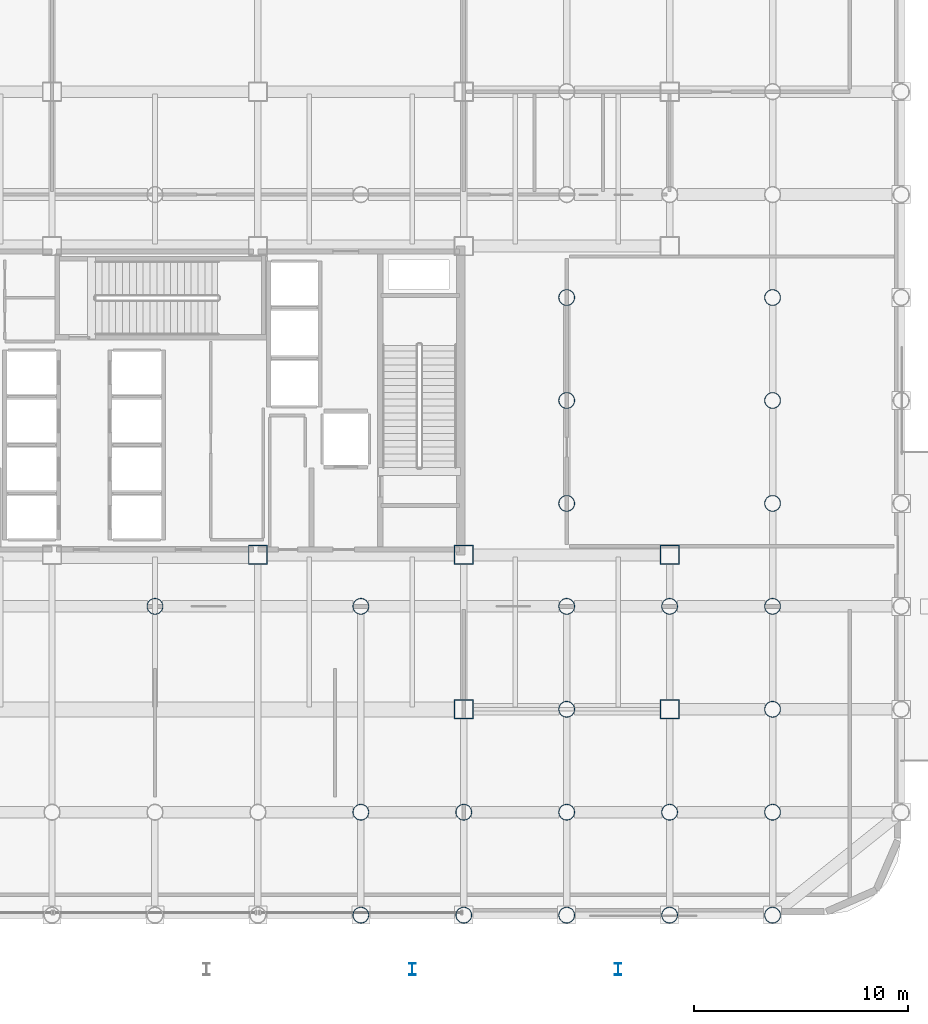
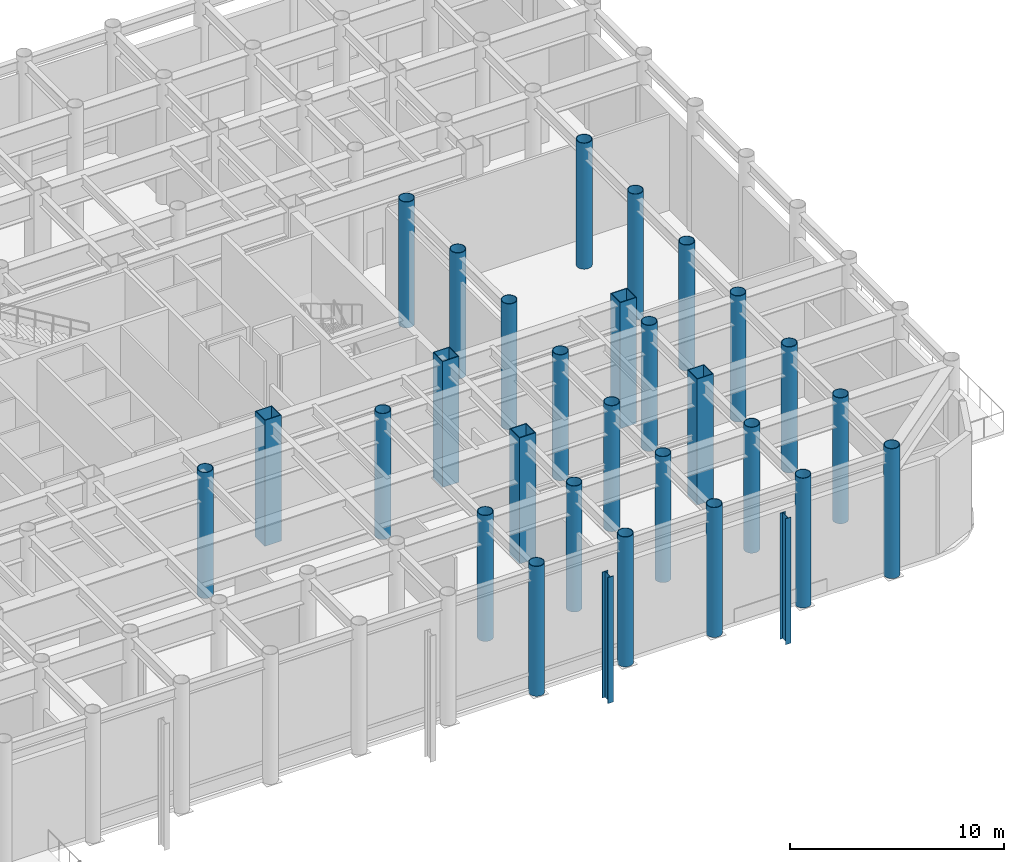
# One storey, part 2 of 23: 30 columns.
"""IFC4 building model written with IfcOpenShell, lengths in metres."""

from ifc_helpers import new_model, si_unit, direction, frame, origin, origin_2d, place, context, subcontext, project, spatial, hollow_rectangle, hollow_circle, i_section, extrude, material, material_profile, profile_set, type_object, element, save


model = new_model("IFC4")

# Units and contexts
model_context = context("Model", 3, precision=1e-05, world=origin(), true_north=direction((0.0, 1.0)))
body_context = subcontext(model_context, "Body", "Model", "MODEL_VIEW")
ifc_project = project(units=[si_unit("LENGTHUNIT", "METRE"), si_unit("AREAUNIT", "SQUARE_METRE"), si_unit("VOLUMEUNIT", "CUBIC_METRE"), si_unit("PLANEANGLEUNIT", "RADIAN"), si_unit("MASSUNIT", "GRAM", prefix="KILO")], contexts=[model_context])

# Site, building, storey
site_placement = place(None, origin())
site = spatial("IfcSite", under=ifc_project, at=site_placement, CompositionType="ELEMENT")
building_placement = place(site_placement, origin())
building = spatial("IfcBuilding", under=site, at=building_placement, Name="Kallvorn Hotel Tower", CompositionType="ELEMENT")
storey_placement = place(building_placement, frame((0.0, 0.0, 12.0)))
storey = spatial("IfcBuildingStorey", under=building, at=storey_placement, Name="L02", CompositionType="ELEMENT", Elevation=12.0)

# Columns
ifc_material_1 = material(Name="Structural steel S355J2H", Category="steel")
ifc_material_profile_1 = material_profile(ifc_material_1, hollow_circle(Radius=0.381103515625, WallThickness=0.031982421875, at=origin_2d()), Name="CHS 762x32")
ifc_profile_set_1 = profile_set([ifc_material_profile_1], Name="Structural steel S355J2H")
column_type_1 = type_object("IfcColumnType", Name="COL_CHS_762", PredefinedType="COLUMN", material=ifc_profile_set_1)
column_1_placement = place(storey_placement, frame((0.0, -9.60009765625, 0.0), z_axis=(0.0, 0.0, 1.0), x_axis=(1.0, 0.0, 0.0)))
element("IfcColumn", 1, at=column_1_placement, inside=storey, type_object=column_type_1, Name="L02 Exoskeleton Column EC54", PredefinedType="COLUMN", context=body_context, shape_type="SweptSolid", body=[
    extrude(hollow_circle(Radius=0.381103515625, WallThickness=0.031982421875, at=origin_2d()), origin(), (0.0, 0.0, 1.0), 7.199951171875),
])
column_2_placement = place(storey_placement, frame((9.60009765625, -24.0, -0.219970703125), z_axis=(0.0, 0.0, 1.0), x_axis=(1.0, 0.0, 0.0)))
element("IfcColumn", 2, at=column_2_placement, inside=storey, type_object=column_type_1, Name="L02 Exoskeleton Column EC62", PredefinedType="COLUMN", context=body_context, shape_type="SweptSolid", body=[
    extrude(hollow_circle(Radius=0.381103515625, WallThickness=0.031982421875, at=origin_2d()), origin(), (0.0, 0.0, 1.0), 7.419921875),
])
for number, where, z_axis, x_axis, name in (
    (3, (9.60009765625, -19.199951171875, 0.0), (0.0, 0.0, 1.0), (1.0, 0.0, 0.0), "L02 Exoskeleton Column EC63"),
    (4, (9.60009765625, -9.60009765625, 0.0), (0.0, 0.0, 1.0), (1.0, 0.0, 0.0), "L02 Exoskeleton Column EC64"),
):
    element("IfcColumn", number, at=place(storey_placement, frame(where, z_axis=z_axis, x_axis=x_axis)), inside=storey, type_object=column_type_1, Name=name, PredefinedType="COLUMN", context=body_context, shape_type="SweptSolid", body=[
        extrude(hollow_circle(Radius=0.381103515625, WallThickness=0.031982421875, at=origin_2d()), origin(), (0.0, 0.0, 1.0), 7.199951171875),
    ])
column_3_placement = place(storey_placement, frame((14.39990234375, -24.0, -0.219970703125), z_axis=(0.0, 0.0, 1.0), x_axis=(1.0, 0.0, 0.0)))
element("IfcColumn", 5, at=column_3_placement, inside=storey, type_object=column_type_1, Name="L02 Exoskeleton Column EC68", PredefinedType="COLUMN", context=body_context, shape_type="SweptSolid", body=[
    extrude(hollow_circle(Radius=0.381103515625, WallThickness=0.031982421875, at=origin_2d()), origin(), (0.0, 0.0, 1.0), 7.419921875),
])
column_4_placement = place(storey_placement, frame((14.39990234375, -19.199951171875, 0.0), z_axis=(0.0, 0.0, 1.0), x_axis=(1.0, 0.0, 0.0)))
element("IfcColumn", 6, at=column_4_placement, inside=storey, type_object=column_type_1, Name="L02 Exoskeleton Column EC69", PredefinedType="COLUMN", context=body_context, shape_type="SweptSolid", body=[
    extrude(hollow_circle(Radius=0.381103515625, WallThickness=0.031982421875, at=origin_2d()), origin(), (0.0, 0.0, 1.0), 7.199951171875),
])
column_5_placement = place(storey_placement, frame((19.199951171875, -24.0, -0.219970703125), z_axis=(0.0, 0.0, 1.0), x_axis=(1.0, 0.0, 0.0)))
element("IfcColumn", 7, at=column_5_placement, inside=storey, type_object=column_type_1, Name="L02 Exoskeleton Column EC72", PredefinedType="COLUMN", context=body_context, shape_type="SweptSolid", body=[
    extrude(hollow_circle(Radius=0.381103515625, WallThickness=0.031982421875, at=origin_2d()), origin(), (0.0, 0.0, 1.0), 7.419921875),
])
for number, where, z_axis, x_axis, name in (
    (8, (19.199951171875, -19.199951171875, 0.0), (0.0, 0.0, 1.0), (1.0, 0.0, 0.0), "L02 Exoskeleton Column EC73"),
    (9, (19.199951171875, -14.39990234375, 0.0), (0.0, 0.0, 1.0), (1.0, 0.0, 0.0), "L02 Exoskeleton Column EC74"),
    (10, (19.199951171875, -9.60009765625, 0.0), (0.0, 0.0, 1.0), (1.0, 0.0, 0.0), "L02 Exoskeleton Column EC75"),
    (11, (19.199951171875, -4.800048828125, 0.0), (0.0, 0.0, 1.0), (1.0, 0.0, 0.0), "L02 Exoskeleton Column EC76"),
    (12, (19.199951171875, 0.0, 0.0), (0.0, 0.0, 1.0), (1.0, 0.0, 0.0), "L02 Exoskeleton Column EC77"),
    (13, (19.199951171875, 4.800048828125, 0.0), (0.0, 0.0, 1.0), (1.0, 0.0, 0.0), "L02 Exoskeleton Column EC78"),
):
    element("IfcColumn", number, at=place(storey_placement, frame(where, z_axis=z_axis, x_axis=x_axis)), inside=storey, type_object=column_type_1, Name=name, PredefinedType="COLUMN", context=body_context, shape_type="SweptSolid", body=[
        extrude(hollow_circle(Radius=0.381103515625, WallThickness=0.031982421875, at=origin_2d()), origin(), (0.0, 0.0, 1.0), 7.199951171875),
    ])
column_6_placement = place(storey_placement, frame((24.0, -24.0, -0.219970703125), z_axis=(0.0, 0.0, 1.0), x_axis=(1.0, 0.0, 0.0)))
element("IfcColumn", 14, at=column_6_placement, inside=storey, type_object=column_type_1, Name="L02 Exoskeleton Column EC83", PredefinedType="COLUMN", context=body_context, shape_type="SweptSolid", body=[
    extrude(hollow_circle(Radius=0.381103515625, WallThickness=0.031982421875, at=origin_2d()), origin(), (0.0, 0.0, 1.0), 7.419921875),
])
for number, where, z_axis, x_axis, name in (
    (15, (24.0, -19.199951171875, 0.0), (0.0, 0.0, 1.0), (1.0, 0.0, 0.0), "L02 Exoskeleton Column EC84"),
    (16, (24.0, -9.60009765625, 0.0), (0.0, 0.0, 1.0), (1.0, 0.0, 0.0), "L02 Exoskeleton Column EC85"),
):
    element("IfcColumn", number, at=place(storey_placement, frame(where, z_axis=z_axis, x_axis=x_axis)), inside=storey, type_object=column_type_1, Name=name, PredefinedType="COLUMN", context=body_context, shape_type="SweptSolid", body=[
        extrude(hollow_circle(Radius=0.381103515625, WallThickness=0.031982421875, at=origin_2d()), origin(), (0.0, 0.0, 1.0), 7.199951171875),
    ])
column_7_placement = place(storey_placement, frame((28.800048828125, -24.0, -0.219970703125), z_axis=(0.0, 0.0, 1.0), x_axis=(1.0, 0.0, 0.0)))
element("IfcColumn", 17, at=column_7_placement, inside=storey, type_object=column_type_1, Name="L02 Exoskeleton Column EC89", PredefinedType="COLUMN", context=body_context, shape_type="SweptSolid", body=[
    extrude(hollow_circle(Radius=0.381103515625, WallThickness=0.031982421875, at=origin_2d()), origin(), (0.0, 0.0, 1.0), 7.419921875),
])
for number, where, z_axis, x_axis, name in (
    (18, (28.800048828125, -19.199951171875, 0.0), (0.0, 0.0, 1.0), (1.0, 0.0, 0.0), "L02 Exoskeleton Column EC90"),
    (19, (28.800048828125, -14.39990234375, 0.0), (0.0, 0.0, 1.0), (1.0, 0.0, 0.0), "L02 Exoskeleton Column EC91"),
    (20, (28.800048828125, -9.60009765625, 0.0), (0.0, 0.0, 1.0), (1.0, 0.0, 0.0), "L02 Exoskeleton Column EC92"),
    (21, (28.800048828125, -4.800048828125, 0.0), (0.0, 0.0, 1.0), (1.0, 0.0, 0.0), "L02 Exoskeleton Column EC93"),
    (22, (28.800048828125, 0.0, 0.0), (0.0, 0.0, 1.0), (1.0, 0.0, 0.0), "L02 Exoskeleton Column EC94"),
    (23, (28.800048828125, 4.800048828125, 0.0), (0.0, 0.0, 1.0), (1.0, 0.0, 0.0), "L02 Exoskeleton Column EC95"),
):
    element("IfcColumn", number, at=place(storey_placement, frame(where, z_axis=z_axis, x_axis=x_axis)), inside=storey, type_object=column_type_1, Name=name, PredefinedType="COLUMN", context=body_context, shape_type="SweptSolid", body=[
        extrude(hollow_circle(Radius=0.381103515625, WallThickness=0.031982421875, at=origin_2d()), origin(), (0.0, 0.0, 1.0), 7.199951171875),
    ])
ifc_material_2 = material(Name="Structural steel S355J2H", Category="steel")
ifc_material_profile_2 = material_profile(ifc_material_2, hollow_rectangle(XDim=0.89990234375, YDim=0.89990234375, WallThickness=0.0400390625, at=origin_2d()), Name="RHS 900x900x40")
ifc_profile_set_2 = profile_set([ifc_material_profile_2], Name="Structural steel S355J2H")
column_type_2 = type_object("IfcColumnType", Name="COL_RHS_900", PredefinedType="COLUMN", material=ifc_profile_set_2)
for number, where, z_axis, x_axis, name in (
    (24, (4.800048828125, -7.199951171875, 0.0), (0.0, 0.0, 1.0), (1.0, 0.0, 0.0), "L02 Inner Column IC12"),
    (25, (14.39990234375, -14.39990234375, 0.0), (0.0, 0.0, 1.0), (1.0, 0.0, 0.0), "L02 Inner Column IC15"),
    (26, (14.39990234375, -7.199951171875, 0.0), (0.0, 0.0, 1.0), (1.0, 0.0, 0.0), "L02 Inner Column IC16"),
    (27, (24.0, -14.39990234375, 0.0), (0.0, 0.0, 1.0), (1.0, 0.0, 0.0), "L02 Inner Column IC19"),
    (28, (24.0, -7.199951171875, 0.0), (0.0, 0.0, 1.0), (1.0, 0.0, 0.0), "L02 Inner Column IC20"),
):
    element("IfcColumn", number, at=place(storey_placement, frame(where, z_axis=z_axis, x_axis=x_axis)), inside=storey, type_object=column_type_2, Name=name, PredefinedType="COLUMN", context=body_context, shape_type="SweptSolid", body=[
        extrude(hollow_rectangle(XDim=0.89990234375, YDim=0.89990234375, WallThickness=0.0400390625, at=origin_2d()), origin(), (0.0, 0.0, 1.0), 7.199951171875),
    ])
ifc_material_3 = material(Name="Structural steel S355JR", Category="steel")
ifc_material_profile_3 = material_profile(ifc_material_3, i_section(OverallWidth=0.300048828125, OverallDepth=0.550048828125, WebThickness=0.014892578125, FlangeThickness=0.029052734375, at=origin_2d()), Name="HE 550 B")
ifc_profile_set_3 = profile_set([ifc_material_profile_3], Name="Structural steel S355JR")
column_type_3 = type_object("IfcColumnType", Name="PILASTER_HE550B", PredefinedType="PILASTER", material=ifc_profile_set_3)
for number, where, z_axis, x_axis, name in (
    (29, (12.0, -26.52001953125, 0.0), (0.0, 0.0, 1.0), (1.0, 0.0, 0.0), "L02 Chicago Colonnade Pilaster 04"),
    (30, (21.60009765625, -26.52001953125, 0.0), (0.0, 0.0, 1.0), (1.0, 0.0, 0.0), "L02 Chicago Colonnade Pilaster 05"),
):
    element("IfcColumn", number, at=place(storey_placement, frame(where, z_axis=z_axis, x_axis=x_axis)), inside=storey, type_object=column_type_3, Name=name, PredefinedType="PILASTER", context=body_context, shape_type="SweptSolid", body=[
        extrude(i_section(OverallWidth=0.300048828125, OverallDepth=0.550048828125, WebThickness=0.014892578125, FlangeThickness=0.029052734375, at=origin_2d()), origin(), (0.0, 0.0, 1.0), 7.199951171875),
    ])

save(model, "model.ifc")
